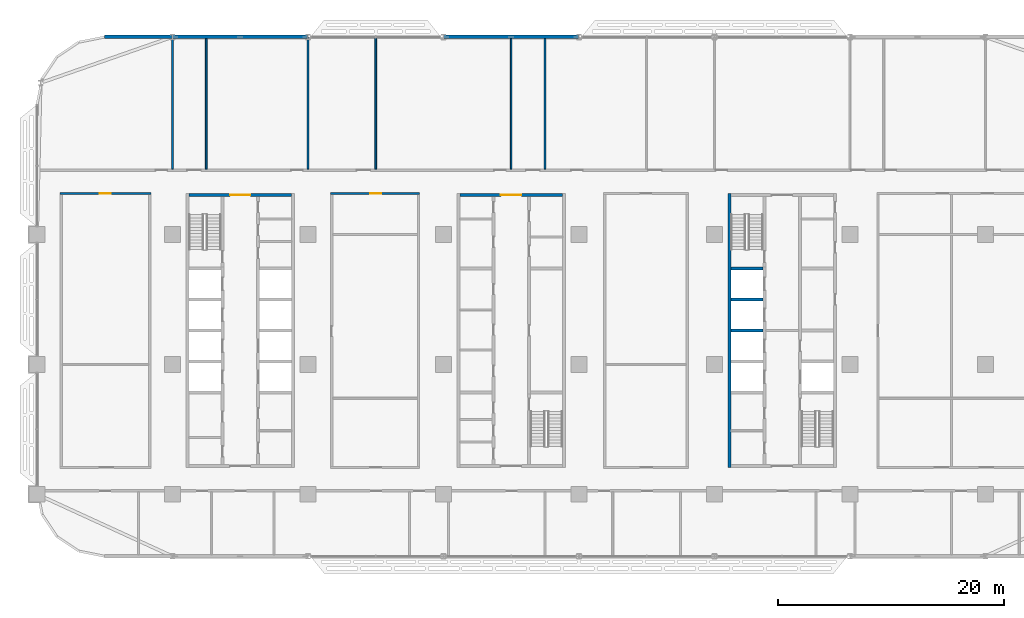
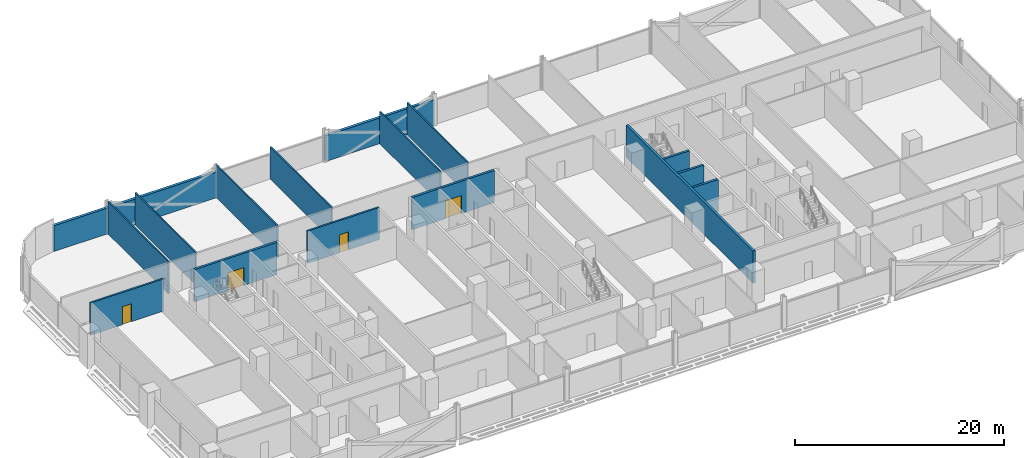
# One storey, part 14 of 29: 17 walls, 4 doors, 4 openings.
"""IFC4 building model written with IfcOpenShell, lengths in metres."""

from ifc_helpers import new_model, si_unit, direction, frame, frame_2d, origin, place, context, subcontext, project, spatial, rectangle, extrude, material, layer, layer_set, type_object, element, fill, save


model = new_model("IFC4")

# Units and contexts
model_context = context("Model", 3, precision=1e-05, world=origin(), true_north=direction((0.0, 1.0)))
body_context = subcontext(model_context, "Body", "Model", "MODEL_VIEW")
ifc_project = project(units=[si_unit("LENGTHUNIT", "METRE"), si_unit("AREAUNIT", "SQUARE_METRE"), si_unit("VOLUMEUNIT", "CUBIC_METRE"), si_unit("PLANEANGLEUNIT", "RADIAN"), si_unit("MASSUNIT", "GRAM", prefix="KILO")], contexts=[model_context])

# Site, building, storey
site_placement = place(None, origin())
site = spatial("IfcSite", under=ifc_project, at=site_placement, CompositionType="ELEMENT")
building_placement = place(site_placement, origin())
building = spatial("IfcBuilding", under=site, at=building_placement, Name="Mahtab Terrace Research Tower", CompositionType="ELEMENT")
storey_placement = place(building_placement, frame((0.0, 0.0, 97.10009765625)))
storey = spatial("IfcBuildingStorey", under=building, at=storey_placement, Name="L22", CompositionType="ELEMENT", Elevation=97.10009765625)

# Wall, opening, door
ifc_material_1 = material(Name="Concrete C70/85", Category="concrete")
ifc_layer_1 = layer(ifc_material_1, 0.25)
ifc_layer_set_1 = layer_set([ifc_layer_1], Name="Core wall 250")
wall_type_1 = type_object("IfcWallType", Name="Core wall 250", PredefinedType="SOLIDWALL", material=ifc_layer_set_1)
wall_1_placement = place(storey_placement, frame((-28.550048828125, 15.0, 0.0), z_axis=(0.0, 0.0, 1.0), x_axis=(1.0, 0.0, 0.0)))
wall_1 = element("IfcWall", 1, at=wall_1_placement, inside=storey, type_object=wall_type_1, Name="Core wall A endN", PredefinedType="SOLIDWALL", context=body_context, shape_type="SweptSolid", body=[
    extrude(rectangle(XDim=9.10009765625, YDim=0.25, at=frame_2d((4.550048828125, 0.0))), origin(), (0.0, 0.0, 1.0), 3.760009765625),
])
opening_1_placement = place(wall_1_placement, frame((3.64990234375, 0.0, 0.0)))
opening_1 = element("IfcOpeningElement", 2, at=opening_1_placement, cuts=wall_1, Name="Opening A-N1", PredefinedType="OPENING", context=body_context, shape_type="SweptSolid", body=[
    extrude(rectangle(XDim=1.800048828125, YDim=2.10009765625, at=frame_2d((0.89990234375, 1.050048828125))), frame((0.0, 0.135009765625, 0.0), z_axis=(0.0, -1.0, 0.0), x_axis=(1.0, 0.0, 0.0)), (0.0, 0.0, 1.0), 0.27001953125),
])
ifc_material_2 = material(Name="Steel fire door", Category="steel")
door_type_1 = type_object("IfcDoorType", Name="Lobby double door 1800x2100 1 HR", OperationType="DOUBLE_DOOR_SINGLE_SWING", PredefinedType="DOOR", material=ifc_material_2)
door_1_placement = place(opening_1_placement, origin())
door_1 = element("IfcDoor", 3, at=door_1_placement, inside=storey, type_object=door_type_1, Name="Core entrance door A N", OperationType="DOUBLE_DOOR_SINGLE_SWING", OverallHeight=2.10009765625, OverallWidth=1.800048828125, PredefinedType="DOOR", context=body_context, shape_type="SweptSolid", body=[
    extrude(rectangle(XDim=1.800048828125, YDim=2.10009765625, at=frame_2d((0.89990234375, 1.050048828125))), frame((0.0, 0.02490234375, 0.0), z_axis=(0.0, -1.0, 0.0), x_axis=(1.0, 0.0, 0.0)), (0.0, 0.0, 1.0), 0.050048828125),
])
fill(opening_1, door_1)

wall_2_placement = place(storey_placement, frame((-4.550048828125, 15.0, 0.0), z_axis=(0.0, 0.0, 1.0), x_axis=(1.0, 0.0, 0.0)))
wall_2 = element("IfcWall", 4, at=wall_2_placement, inside=storey, type_object=wall_type_1, Name="Core wall B endN", PredefinedType="SOLIDWALL", context=body_context, shape_type="SweptSolid", body=[
    extrude(rectangle(XDim=9.10009765625, YDim=0.25, at=frame_2d((4.550048828125, 0.0))), origin(), (0.0, 0.0, 1.0), 3.760009765625),
])
opening_2_placement = place(wall_2_placement, frame((3.64990234375, 0.0, 0.0)))
opening_2 = element("IfcOpeningElement", 5, at=opening_2_placement, cuts=wall_2, Name="Opening B-N1", PredefinedType="OPENING", context=body_context, shape_type="SweptSolid", body=[
    extrude(rectangle(XDim=1.800048828125, YDim=2.10009765625, at=frame_2d((0.89990234375, 1.050048828125))), frame((0.0, 0.135009765625, 0.0), z_axis=(0.0, -1.0, 0.0), x_axis=(1.0, 0.0, 0.0)), (0.0, 0.0, 1.0), 0.27001953125),
])
door_2_placement = place(opening_2_placement, origin())
door_2 = element("IfcDoor", 6, at=door_2_placement, inside=storey, type_object=door_type_1, Name="Core entrance door B N", OperationType="DOUBLE_DOOR_SINGLE_SWING", OverallHeight=2.10009765625, OverallWidth=1.800048828125, PredefinedType="DOOR", context=body_context, shape_type="SweptSolid", body=[
    extrude(rectangle(XDim=1.800048828125, YDim=2.10009765625, at=frame_2d((0.89990234375, 1.050048828125))), frame((0.0, 0.02490234375, 0.0), z_axis=(0.0, -1.0, 0.0), x_axis=(1.0, 0.0, 0.0)), (0.0, 0.0, 1.0), 0.050048828125),
])
fill(opening_2, door_2)

# Walls
wall_3_placement = place(storey_placement, frame((19.324951171875, 15.125, 0.0), z_axis=(0.0, 0.0, 1.0), x_axis=(0.0, -1.0, 0.0)))
element("IfcWall", 7, at=wall_3_placement, inside=storey, type_object=wall_type_1, Name="Core wall C outerW", PredefinedType="SOLIDWALL", context=body_context, shape_type="SweptSolid", body=[
    extrude(rectangle(XDim=24.25, YDim=0.25, at=frame_2d((12.125, 0.0))), origin(), (0.0, 0.0, 1.0), 3.760009765625),
])
for number, where, z_axis, x_axis, name in (
    (8, (19.449951171875, 3.0, 0.0), (0.0, 0.0, 1.0), (1.0, 0.0, 0.0), "Core wall C divW2"),
    (9, (19.449951171875, 5.75, 0.0), (0.0, 0.0, 1.0), (1.0, 0.0, 0.0), "Core wall C divW3"),
    (10, (19.449951171875, 8.5, 0.0), (0.0, 0.0, 1.0), (1.0, 0.0, 0.0), "Core wall C divW4"),
):
    element("IfcWall", number, at=place(storey_placement, frame(where, z_axis=z_axis, x_axis=x_axis)), inside=storey, type_object=wall_type_1, Name=name, PredefinedType="SOLIDWALL", context=body_context, shape_type="SweptSolid", body=[
        extrude(rectangle(XDim=2.85009765625, YDim=0.25, at=frame_2d((1.425048828125, 0.0))), origin(), (0.0, 0.0, 1.0), 3.760009765625),
    ])
ifc_material_3 = material(Name="Black aluminium cladding panel", Category="aluminium")
ifc_layer_2 = layer(ifc_material_3, 0.300048828125)
ifc_layer_set_2 = layer_set([ifc_layer_2], Name="Opaque facade wall 300")
wall_type_2 = type_object("IfcWallType", Name="Opaque facade wall 300", PredefinedType="NOTDEFINED", material=ifc_layer_set_2)
for number, where, z_axis, x_axis, name in (
    (11, (5.97900390625, 29.0, 0.0), (0.0, 0.0, 1.0), (-1.0, 0.0, 0.0), "Opaque facade wall L22 N7"),
    (12, (-18.02099609375, 29.0, 0.0), (0.0, 0.0, 1.0), (-1.0, 0.0, 0.0), "Opaque facade wall L22 N9"),
):
    element("IfcWall", number, at=place(storey_placement, frame(where, z_axis=z_axis, x_axis=x_axis)), inside=storey, type_object=wall_type_2, Name=name, PredefinedType="NOTDEFINED", context=body_context, shape_type="SweptSolid", body=[
        extrude(rectangle(XDim=11.9580078125, YDim=0.300048828125, at=frame_2d((5.97900390625, 0.0))), origin(), (0.0, 0.0, 1.0), 3.0029296875),
    ])
wall_4_placement = place(storey_placement, frame((-30.02099609375, 29.0, 0.0), z_axis=(0.0, 0.0, 1.0), x_axis=(-1.0, 0.0, 0.0)))
element("IfcWall", 13, at=wall_4_placement, inside=storey, type_object=wall_type_2, Name="Opaque facade wall L22 N10", PredefinedType="NOTDEFINED", context=body_context, shape_type="SweptSolid", body=[
    extrude(rectangle(XDim=5.97900390625, YDim=0.300048828125, at=frame_2d((2.989501953125, 0.0))), origin(), (0.0, 0.0, 1.0), 3.0029296875),
])

# Wall, opening, door
ifc_material_4 = material(Name="Gypsum board corridor wall on steel studs", Category="steel")
ifc_layer_3 = layer(ifc_material_4, 0.199951171875)
ifc_layer_set_3 = layer_set([ifc_layer_3], Name="WALL CORRIDOR 200")
wall_type_3 = type_object("IfcWallType", Name="WALL CORRIDOR 200", PredefinedType="PARTITIONING", material=ifc_layer_set_3)
wall_5_placement = place(storey_placement, frame((-39.949951171875, 15.125, 0.0), z_axis=(0.0, 0.0, 1.0), x_axis=(1.0, 0.0, 0.0)))
wall_5 = element("IfcWall", 14, at=wall_5_placement, inside=storey, type_object=wall_type_3, Name="L22-W020", PredefinedType="PARTITIONING", context=body_context, shape_type="SweptSolid", body=[
    extrude(rectangle(XDim=8.050048828125, YDim=0.199951171875, at=frame_2d((4.02490234375, 0.0))), origin(), (0.0, 0.0, 1.0), 3.760009765625),
])
opening_3_placement = place(wall_5_placement, frame((3.5, 0.0, 0.0)))
opening_3 = element("IfcOpeningElement", 15, at=opening_3_placement, cuts=wall_5, Name="Opening L22-122", PredefinedType="OPENING", context=body_context, shape_type="SweptSolid", body=[
    extrude(rectangle(XDim=1.0, YDim=2.10009765625, at=frame_2d((0.5, 1.050048828125))), frame((0.0, 0.10986328125, 0.0), z_axis=(0.0, -1.0, 0.0), x_axis=(1.0, 0.0, 0.0)), (0.0, 0.0, 1.0), 0.219970703125),
])
ifc_material_5 = material(Name="Timber door leaf in steel frame", Category="steel")
door_type_2 = type_object("IfcDoorType", Name="DOOR 1000X2100 FD30S", OperationType="SINGLE_SWING_LEFT", PredefinedType="DOOR", material=ifc_material_5)
door_3_placement = place(opening_3_placement, origin())
door_3 = element("IfcDoor", 16, at=door_3_placement, inside=storey, type_object=door_type_2, Name="Door L22-122", OperationType="SINGLE_SWING_RIGHT", OverallHeight=2.10009765625, OverallWidth=1.0, PredefinedType="DOOR", context=body_context, shape_type="SweptSolid", body=[
    extrude(rectangle(XDim=1.0, YDim=2.10009765625, at=frame_2d((0.5, 1.050048828125))), frame((0.0, 0.02490234375, 0.0), z_axis=(0.0, -1.0, 0.0), x_axis=(1.0, 0.0, 0.0)), (0.0, 0.0, 1.0), 0.050048828125),
])
fill(opening_3, door_3)

wall_6_placement = place(storey_placement, frame((-16.0, 15.125, 0.0), z_axis=(0.0, 0.0, 1.0), x_axis=(1.0, 0.0, 0.0)))
wall_6 = element("IfcWall", 17, at=wall_6_placement, inside=storey, type_object=wall_type_3, Name="L22-W021", PredefinedType="PARTITIONING", context=body_context, shape_type="SweptSolid", body=[
    extrude(rectangle(XDim=7.89990234375, YDim=0.199951171875, at=frame_2d((3.949951171875, 0.0))), origin(), (0.0, 0.0, 1.0), 3.760009765625),
])
opening_4_placement = place(wall_6_placement, frame((3.5, 0.0, 0.0)))
opening_4 = element("IfcOpeningElement", 18, at=opening_4_placement, cuts=wall_6, Name="Opening L22-124", PredefinedType="OPENING", context=body_context, shape_type="SweptSolid", body=[
    extrude(rectangle(XDim=1.0, YDim=2.10009765625, at=frame_2d((0.5, 1.050048828125))), frame((0.0, 0.10986328125, 0.0), z_axis=(0.0, -1.0, 0.0), x_axis=(1.0, 0.0, 0.0)), (0.0, 0.0, 1.0), 0.219970703125),
])
door_4_placement = place(opening_4_placement, origin())
door_4 = element("IfcDoor", 19, at=door_4_placement, inside=storey, type_object=door_type_2, Name="Door L22-124", OperationType="SINGLE_SWING_LEFT", OverallHeight=2.10009765625, OverallWidth=1.0, PredefinedType="DOOR", context=body_context, shape_type="SweptSolid", body=[
    extrude(rectangle(XDim=1.0, YDim=2.10009765625, at=frame_2d((0.5, 1.050048828125))), frame((0.0, 0.02490234375, 0.0), z_axis=(0.0, -1.0, 0.0), x_axis=(1.0, 0.0, 0.0)), (0.0, 0.0, 1.0), 0.050048828125),
])
fill(opening_4, door_4)

# Walls
ifc_material_6 = material(Name="Gypsum board partition on steel studs", Category="steel")
ifc_layer_4 = layer(ifc_material_6, 0.14990234375)
ifc_layer_set_4 = layer_set([ifc_layer_4], Name="WALL PARTITION 150")
wall_type_4 = type_object("IfcWallType", Name="WALL PARTITION 150", PredefinedType="PARTITIONING", material=ifc_layer_set_4)
for number, where, z_axis, x_axis, name in (
    (20, (-30.0, 17.300048828125, 0.0), (0.0, 0.0, 1.0), (0.0, 1.0, 0.0), "L22-W028"),
    (21, (-27.0, 17.300048828125, 0.0), (0.0, 0.0, 1.0), (0.0, 1.0, 0.0), "L22-W029"),
):
    element("IfcWall", number, at=place(storey_placement, frame(where, z_axis=z_axis, x_axis=x_axis)), inside=storey, type_object=wall_type_4, Name=name, PredefinedType="PARTITIONING", context=body_context, shape_type="SweptSolid", body=[
        extrude(rectangle(XDim=11.550048828125, YDim=0.14990234375, at=frame_2d((5.77490234375, 0.0))), origin(), (0.0, 0.0, 1.0), 3.760009765625),
    ])
for number, where, z_axis, x_axis, name in (
    (22, (-18.0, 17.300048828125, 0.0), (0.0, 0.0, 1.0), (0.0, 1.0, 0.0), "L22-W032"),
    (23, (-12.0, 17.300048828125, 0.0), (0.0, 0.0, 1.0), (0.0, 1.0, 0.0), "L22-W034"),
):
    element("IfcWall", number, at=place(storey_placement, frame(where, z_axis=z_axis, x_axis=x_axis)), inside=storey, type_object=wall_type_4, Name=name, PredefinedType="PARTITIONING", context=body_context, shape_type="SweptSolid", body=[
        extrude(rectangle(XDim=11.675048828125, YDim=0.14990234375, at=frame_2d((5.83740234375, 0.0))), origin(), (0.0, 0.0, 1.0), 3.760009765625),
    ])
for number, where, z_axis, x_axis, name in (
    (24, (0.0, 17.300048828125, 0.0), (0.0, 0.0, 1.0), (0.0, 1.0, 0.0), "L22-W038"),
    (25, (3.0, 17.300048828125, 0.0), (0.0, 0.0, 1.0), (0.0, 1.0, 0.0), "L22-W040"),
):
    element("IfcWall", number, at=place(storey_placement, frame(where, z_axis=z_axis, x_axis=x_axis)), inside=storey, type_object=wall_type_4, Name=name, PredefinedType="PARTITIONING", context=body_context, shape_type="SweptSolid", body=[
        extrude(rectangle(XDim=11.550048828125, YDim=0.14990234375, at=frame_2d((5.77490234375, 0.0))), origin(), (0.0, 0.0, 1.0), 3.760009765625),
    ])

save(model, "model.ifc")
